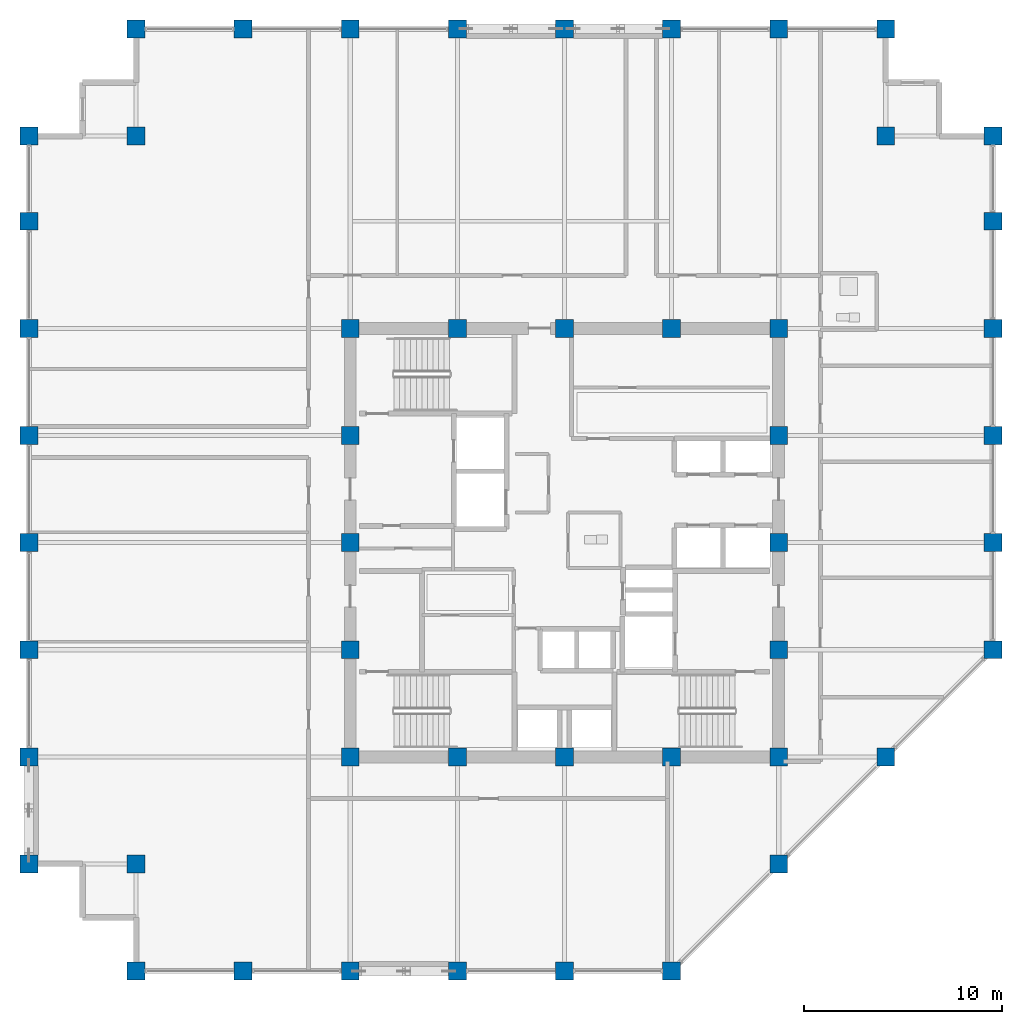
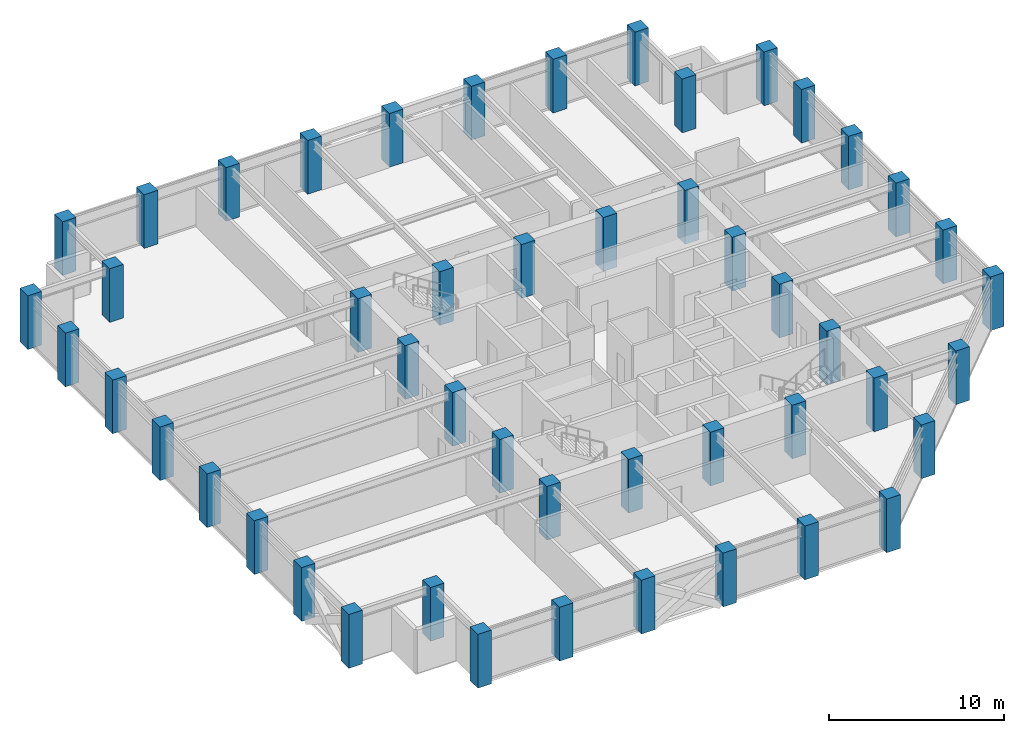
# One storey, part 1 of 32: 49 columns.
"""IFC4 building model written with IfcOpenShell, lengths in metres."""

from ifc_helpers import new_model, si_unit, direction, frame, origin, origin_2d, place, context, subcontext, project, spatial, rectangle, extrude, material, material_profile, profile_set, type_object, element, save


model = new_model("IFC4")

# Units and contexts
model_context = context("Model", 3, precision=1e-05, world=origin(), true_north=direction((0.0, 1.0)))
body_context = subcontext(model_context, "Body", "Model", "MODEL_VIEW")
ifc_project = project(units=[si_unit("LENGTHUNIT", "METRE"), si_unit("AREAUNIT", "SQUARE_METRE"), si_unit("VOLUMEUNIT", "CUBIC_METRE"), si_unit("PLANEANGLEUNIT", "RADIAN"), si_unit("MASSUNIT", "GRAM", prefix="KILO")], contexts=[model_context])

# Site, building, storey
site_placement = place(None, origin())
site = spatial("IfcSite", under=ifc_project, at=site_placement, CompositionType="ELEMENT")
building_placement = place(site_placement, origin())
building = spatial("IfcBuilding", under=site, at=building_placement, Name="Surkhivell Harbour Commons", CompositionType="ELEMENT")
storey_placement = place(building_placement, frame((0.0, 0.0, 201.0)))
storey = spatial("IfcBuildingStorey", under=building, at=storey_placement, Name="L52", CompositionType="ELEMENT", Elevation=201.0)

# Columns
ifc_material = material(Name="Concrete C60/75", Category="concrete")
ifc_material_profile = material_profile(ifc_material, rectangle(XDim=0.89990234375, YDim=0.89990234375, at=origin_2d()), Name="RC-COL-900x900")
ifc_profile_set = profile_set([ifc_material_profile], Name="Concrete C60/75")
column_type = type_object("IfcColumnType", Name="COL-TUBE-Z3A", PredefinedType="COLUMN", material=ifc_profile_set)
for number, where, z_axis, x_axis, name in (
    (1, (-27.0, -16.199951171875, 0.0), (0.0, 0.0, 1.0), (1.0, 0.0, 0.0), "L52 Column CT-3A (-27.0,-16.2)"),
    (2, (-27.0, -10.800048828125, 0.0), (0.0, 0.0, 1.0), (1.0, 0.0, 0.0), "L52 Column CT-3A (-27.0,-10.8)"),
    (3, (-27.0, -5.39990234375, 0.0), (0.0, 0.0, 1.0), (1.0, 0.0, 0.0), "L52 Column CT-3A (-27.0,-5.4)"),
    (4, (-27.0, 0.0, 0.0), (0.0, 0.0, 1.0), (1.0, 0.0, 0.0), "L52 Column CT-3A (-27.0,0.0)"),
    (5, (-27.0, 5.39990234375, 0.0), (0.0, 0.0, 1.0), (1.0, 0.0, 0.0), "L52 Column CT-3A (-27.0,5.4)"),
    (6, (-27.0, 10.800048828125, 0.0), (0.0, 0.0, 1.0), (1.0, 0.0, 0.0), "L52 Column CT-3A (-27.0,10.8)"),
    (7, (-27.0, 16.199951171875, 0.0), (0.0, 0.0, 1.0), (1.0, 0.0, 0.0), "L52 Column CT-3A (-27.0,16.2)"),
    (8, (-27.0, 20.5, 0.0), (0.0, 0.0, 1.0), (1.0, 0.0, 0.0), "L52 Column CT-3A (-27.0,20.5)"),
    (9, (-21.60009765625, -21.60009765625, 0.0), (0.0, 0.0, 1.0), (1.0, 0.0, 0.0), "L52 Column CT-3A (-21.6,-21.6)"),
    (10, (-21.60009765625, -16.199951171875, 0.0), (0.0, 0.0, 1.0), (1.0, 0.0, 0.0), "L52 Column CT-3A (-21.6,-16.2)"),
    (11, (-21.60009765625, 20.5, 0.0), (0.0, 0.0, 1.0), (1.0, 0.0, 0.0), "L52 Column CT-3A (-21.6,20.5)"),
    (12, (-21.60009765625, 25.89990234375, 0.0), (0.0, 0.0, 1.0), (1.0, 0.0, 0.0), "L52 Column CT-3A (-21.6,25.9)"),
    (13, (-16.199951171875, -21.60009765625, 0.0), (0.0, 0.0, 1.0), (1.0, 0.0, 0.0), "L52 Column CT-3A (-16.2,-21.6)"),
    (14, (-16.199951171875, 25.89990234375, 0.0), (0.0, 0.0, 1.0), (1.0, 0.0, 0.0), "L52 Column CT-3A (-16.2,25.9)"),
    (15, (-10.800048828125, -21.60009765625, 0.0), (0.0, 0.0, 1.0), (1.0, 0.0, 0.0), "L52 Column CT-3A (-10.8,-21.6)"),
    (16, (-10.800048828125, -10.800048828125, 0.0), (0.0, 0.0, 1.0), (1.0, 0.0, 0.0), "L52 Column CT-3A (-10.8,-10.8)"),
    (17, (-10.800048828125, -5.39990234375, 0.0), (0.0, 0.0, 1.0), (1.0, 0.0, 0.0), "L52 Column CT-3A (-10.8,-5.4)"),
    (18, (-10.800048828125, 0.0, 0.0), (0.0, 0.0, 1.0), (1.0, 0.0, 0.0), "L52 Column CT-3A (-10.8,0.0)"),
    (19, (-10.800048828125, 5.39990234375, 0.0), (0.0, 0.0, 1.0), (1.0, 0.0, 0.0), "L52 Column CT-3A (-10.8,5.4)"),
    (20, (-10.800048828125, 10.800048828125, 0.0), (0.0, 0.0, 1.0), (1.0, 0.0, 0.0), "L52 Column CT-3A (-10.8,10.8)"),
    (21, (-10.800048828125, 25.89990234375, 0.0), (0.0, 0.0, 1.0), (1.0, 0.0, 0.0), "L52 Column CT-3A (-10.8,25.9)"),
    (22, (-5.39990234375, -21.60009765625, 0.0), (0.0, 0.0, 1.0), (1.0, 0.0, 0.0), "L52 Column CT-3A (-5.4,-21.6)"),
    (23, (-5.39990234375, -10.800048828125, 0.0), (0.0, 0.0, 1.0), (1.0, 0.0, 0.0), "L52 Column CT-3A (-5.4,-10.8)"),
    (24, (-5.39990234375, 10.800048828125, 0.0), (0.0, 0.0, 1.0), (1.0, 0.0, 0.0), "L52 Column CT-3A (-5.4,10.8)"),
    (25, (-5.39990234375, 25.89990234375, 0.0), (0.0, 0.0, 1.0), (1.0, 0.0, 0.0), "L52 Column CT-3A (-5.4,25.9)"),
    (26, (0.0, -21.60009765625, 0.0), (0.0, 0.0, 1.0), (1.0, 0.0, 0.0), "L52 Column CT-3A (-0.0,-21.6)"),
    (27, (0.0, -10.800048828125, 0.0), (0.0, 0.0, 1.0), (1.0, 0.0, 0.0), "L52 Column CT-3A (0.0,-10.8)"),
    (28, (0.0, 10.800048828125, 0.0), (0.0, 0.0, 1.0), (1.0, 0.0, 0.0), "L52 Column CT-3A (0.0,10.8)"),
    (29, (0.0, 25.89990234375, 0.0), (0.0, 0.0, 1.0), (1.0, 0.0, 0.0), "L52 Column CT-3A (-0.0,25.9)"),
    (30, (5.39990234375, -21.60009765625, 0.0), (0.0, 0.0, 1.0), (1.0, 0.0, 0.0), "L52 Column CT-3A (5.4,-21.6)"),
    (31, (5.39990234375, -10.800048828125, 0.0), (0.0, 0.0, 1.0), (1.0, 0.0, 0.0), "L52 Column CT-3A (5.4,-10.8)"),
    (32, (5.39990234375, 10.800048828125, 0.0), (0.0, 0.0, 1.0), (1.0, 0.0, 0.0), "L52 Column CT-3A (5.4,10.8)"),
    (33, (5.39990234375, 25.89990234375, 0.0), (0.0, 0.0, 1.0), (1.0, 0.0, 0.0), "L52 Column CT-3A (5.4,25.9)"),
    (34, (10.800048828125, -16.199951171875, 0.0), (0.0, 0.0, 1.0), (1.0, 0.0, 0.0), "L52 Column CT-3A (10.8,-16.2)"),
    (35, (10.800048828125, -10.800048828125, 0.0), (0.0, 0.0, 1.0), (1.0, 0.0, 0.0), "L52 Column CT-3A (10.8,-10.8)"),
    (36, (10.800048828125, -5.39990234375, 0.0), (0.0, 0.0, 1.0), (1.0, 0.0, 0.0), "L52 Column CT-3A (10.8,-5.4)"),
    (37, (10.800048828125, 0.0, 0.0), (0.0, 0.0, 1.0), (1.0, 0.0, 0.0), "L52 Column CT-3A (10.8,0.0)"),
    (38, (10.800048828125, 5.39990234375, 0.0), (0.0, 0.0, 1.0), (1.0, 0.0, 0.0), "L52 Column CT-3A (10.8,5.4)"),
    (39, (10.800048828125, 10.800048828125, 0.0), (0.0, 0.0, 1.0), (1.0, 0.0, 0.0), "L52 Column CT-3A (10.8,10.8)"),
    (40, (10.800048828125, 25.89990234375, 0.0), (0.0, 0.0, 1.0), (1.0, 0.0, 0.0), "L52 Column CT-3A (10.8,25.9)"),
    (41, (16.199951171875, -10.800048828125, 0.0), (0.0, 0.0, 1.0), (1.0, 0.0, 0.0), "L52 Column CT-3A (16.2,-10.8)"),
    (42, (16.199951171875, 20.5, 0.0), (0.0, 0.0, 1.0), (1.0, 0.0, 0.0), "L52 Column CT-3A (16.2,20.5)"),
    (43, (16.199951171875, 25.89990234375, 0.0), (0.0, 0.0, 1.0), (1.0, 0.0, 0.0), "L52 Column CT-3A (16.2,25.9)"),
    (44, (21.60009765625, -5.39990234375, 0.0), (0.0, 0.0, 1.0), (1.0, 0.0, 0.0), "L52 Column CT-3A (21.6,-5.4)"),
    (45, (21.60009765625, 0.0, 0.0), (0.0, 0.0, 1.0), (1.0, 0.0, 0.0), "L52 Column CT-3A (21.6,0.0)"),
    (46, (21.60009765625, 5.39990234375, 0.0), (0.0, 0.0, 1.0), (1.0, 0.0, 0.0), "L52 Column CT-3A (21.6,5.4)"),
    (47, (21.60009765625, 10.800048828125, 0.0), (0.0, 0.0, 1.0), (1.0, 0.0, 0.0), "L52 Column CT-3A (21.6,10.8)"),
    (48, (21.60009765625, 16.199951171875, 0.0), (0.0, 0.0, 1.0), (1.0, 0.0, 0.0), "L52 Column CT-3A (21.6,16.2)"),
    (49, (21.60009765625, 20.5, 0.0), (0.0, 0.0, 1.0), (1.0, 0.0, 0.0), "L52 Column CT-3A (21.6,20.5)"),
):
    element("IfcColumn", number, at=place(storey_placement, frame(where, z_axis=z_axis, x_axis=x_axis)), inside=storey, type_object=column_type, Name=name, PredefinedType="COLUMN", context=body_context, shape_type="SweptSolid", body=[
        extrude(rectangle(XDim=0.89990234375, YDim=0.89990234375, at=origin_2d()), origin(), (0.0, 0.0, 1.0), 3.75),
    ])

save(model, "model.ifc")
